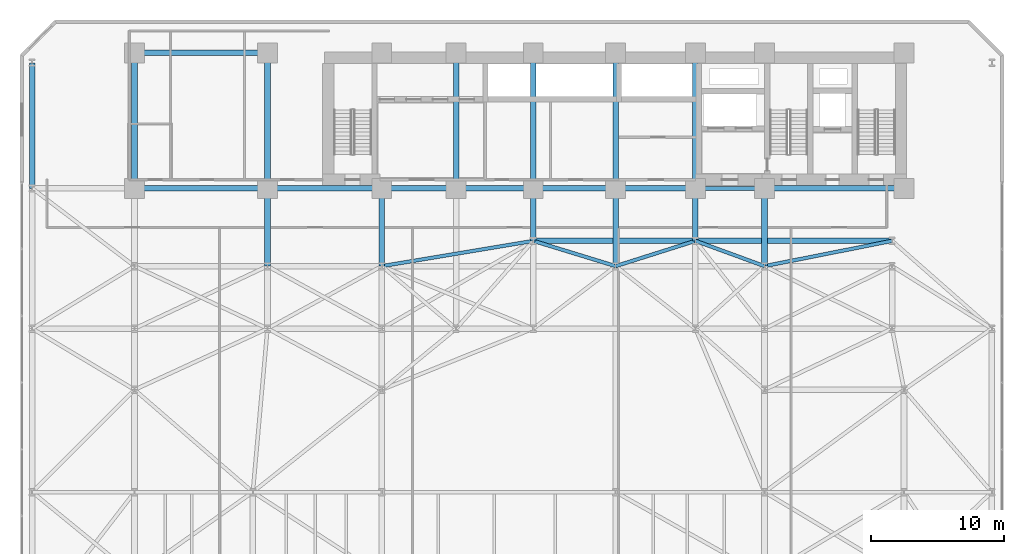
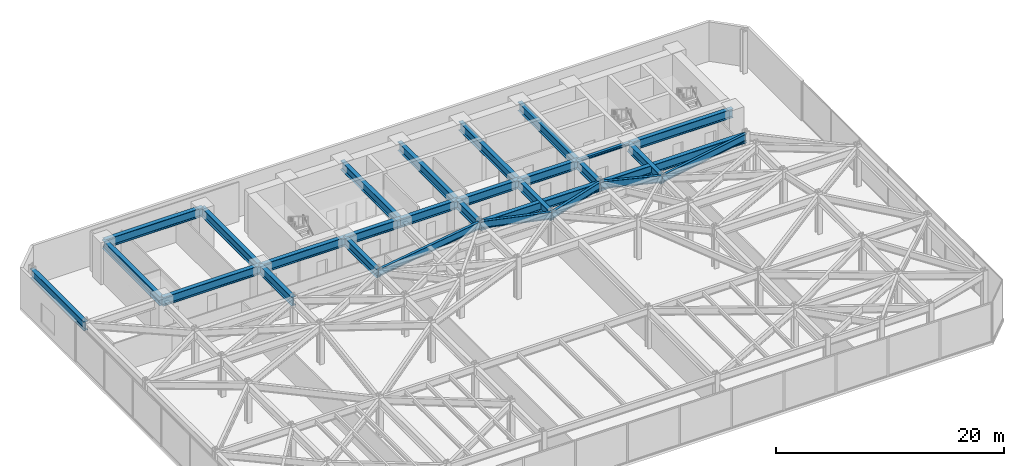
# One storey, part 20 of 28: 29 beams.
"""IFC4 building model written with IfcOpenShell, lengths in metres."""

from ifc_helpers import new_model, si_unit, direction, frame, origin, origin_2d, place, context, subcontext, project, spatial, i_section, extrude, material, material_profile, profile_set, type_object, element, save


model = new_model("IFC4")

# Units and contexts
model_context = context("Model", 3, precision=1e-05, world=origin(), true_north=direction((0.0, 1.0)))
body_context = subcontext(model_context, "Body", "Model", "MODEL_VIEW")
ifc_project = project(units=[si_unit("LENGTHUNIT", "METRE"), si_unit("AREAUNIT", "SQUARE_METRE"), si_unit("VOLUMEUNIT", "CUBIC_METRE"), si_unit("PLANEANGLEUNIT", "RADIAN"), si_unit("MASSUNIT", "GRAM", prefix="KILO")], contexts=[model_context])

# Site, building, storey
site_placement = place(None, origin())
site = spatial("IfcSite", under=ifc_project, at=site_placement, CompositionType="ELEMENT")
building_placement = place(site_placement, origin())
building = spatial("IfcBuilding", under=site, at=building_placement, Name="Kravanh Interchange Tower", CompositionType="ELEMENT")
storey_placement = place(building_placement, frame((0.0, 0.0, 10.800048828125)))
storey = spatial("IfcBuildingStorey", under=building, at=storey_placement, Name="L02", CompositionType="ELEMENT", Elevation=10.800048828125)

# Beams
ifc_material_1 = material(Name="Structural Steel S450", Category="steel")
ifc_material_profile_1 = material_profile(ifc_material_1, i_section(OverallWidth=0.423095703125, OverallDepth=0.947998046875, WebThickness=0.02392578125, FlangeThickness=0.042724609375, FilletRadius=0.028076171875, at=origin_2d()), Name="W36X302")
ifc_profile_set_1 = profile_set([ifc_material_profile_1], Name="Structural Steel S450")
beam_type_1 = type_object("IfcBeamType", Name="Floor Beam W36X302 Structural Steel S450", PredefinedType="BEAM", material=ifc_profile_set_1)
for number, where, z_axis, x_axis, name in (
    (1, (18.60009765625, 31.5, 3.755859375), (0.0, 1.0, 0.0), (-1.0, 0.0, 0.0), "L02 Primary Floor Girder 108"),
    (2, (27.199951171875, 31.5, 3.755859375), (0.0, 1.0, 0.0), (-1.0, 0.0, 0.0), "L02 Primary Floor Girder 110"),
    (3, (44.800048828125, 31.5, 3.755859375), (0.0, 1.0, 0.0), (-1.0, 0.0, 0.0), "L02 Primary Floor Girder 113"),
    (4, (56.0, 31.5, 3.755859375), (0.0, 1.0, 0.0), (-1.0, 0.0, 0.0), "L02 Primary Floor Girder 118"),
):
    element("IfcBeam", number, at=place(storey_placement, frame(where, z_axis=z_axis, x_axis=x_axis)), inside=storey, type_object=beam_type_1, Name=name, PredefinedType="BEAM", context=body_context, shape_type="SweptSolid", body=[
        extrude(i_section(OverallWidth=0.423095703125, OverallDepth=0.947998046875, WebThickness=0.02392578125, FlangeThickness=0.042724609375, FilletRadius=0.028076171875, at=origin_2d()), origin(), (0.0, 0.0, 1.0), 5.85009765625),
    ])
beam_1_placement = place(storey_placement, frame((0.89990234375, 37.35009765625, 3.755859375), z_axis=(0.0, 1.0, 0.0), x_axis=(-1.0, 0.0, 0.0)))
element("IfcBeam", 5, at=beam_1_placement, inside=storey, type_object=beam_type_1, Name="L02 Primary Floor Girder 126", PredefinedType="BEAM", context=body_context, shape_type="SweptSolid", body=[
    extrude(i_section(OverallWidth=0.423095703125, OverallDepth=0.947998046875, WebThickness=0.02392578125, FlangeThickness=0.042724609375, FilletRadius=0.028076171875, at=origin_2d()), origin(), (0.0, 0.0, 1.0), 9.449951171875),
])
beam_2_placement = place(storey_placement, frame((38.60009765625, 33.39990234375, 3.755859375), z_axis=(0.0, 1.0, 0.0), x_axis=(-1.0, 0.0, 0.0)))
element("IfcBeam", 6, at=beam_2_placement, inside=storey, type_object=beam_type_1, Name="L02 Primary Floor Girder 130", PredefinedType="BEAM", context=body_context, shape_type="SweptSolid", body=[
    extrude(i_section(OverallWidth=0.423095703125, OverallDepth=0.947998046875, WebThickness=0.02392578125, FlangeThickness=0.042724609375, FilletRadius=0.028076171875, at=origin_2d()), origin(), (0.0, 0.0, 1.0), 3.9501953125),
])
beam_3_placement = place(storey_placement, frame((38.60009765625, 33.39990234375, 3.755859375), z_axis=(1.0, 0.0, 0.0), x_axis=(0.0, 1.0, 0.0)))
element("IfcBeam", 7, at=beam_3_placement, inside=storey, type_object=beam_type_1, Name="L02 Primary Floor Girder 131", PredefinedType="BEAM", context=body_context, shape_type="SweptSolid", body=[
    extrude(i_section(OverallWidth=0.423095703125, OverallDepth=0.947998046875, WebThickness=0.02392578125, FlangeThickness=0.042724609375, FilletRadius=0.028076171875, at=origin_2d()), origin(), (0.0, 0.0, 1.0), 12.199951171875),
])
beam_4_placement = place(storey_placement, frame((50.800048828125, 33.39990234375, 3.755859375), z_axis=(0.0, 1.0, 0.0), x_axis=(-1.0, 0.0, 0.0)))
element("IfcBeam", 8, at=beam_4_placement, inside=storey, type_object=beam_type_1, Name="L02 Primary Floor Girder 132", PredefinedType="BEAM", context=body_context, shape_type="SweptSolid", body=[
    extrude(i_section(OverallWidth=0.423095703125, OverallDepth=0.947998046875, WebThickness=0.02392578125, FlangeThickness=0.042724609375, FilletRadius=0.028076171875, at=origin_2d()), origin(), (0.0, 0.0, 1.0), 3.9501953125),
])
beam_5_placement = place(storey_placement, frame((50.800048828125, 33.39990234375, 3.755859375), z_axis=(1.0, 0.0, 0.0), x_axis=(0.0, 1.0, 0.0)))
element("IfcBeam", 9, at=beam_5_placement, inside=storey, type_object=beam_type_1, Name="L02 Primary Floor Girder 133", PredefinedType="BEAM", context=body_context, shape_type="SweptSolid", body=[
    extrude(i_section(OverallWidth=0.423095703125, OverallDepth=0.947998046875, WebThickness=0.02392578125, FlangeThickness=0.042724609375, FilletRadius=0.028076171875, at=origin_2d()), origin(), (0.0, 0.0, 1.0), 14.800048828125),
])
beam_6_placement = place(storey_placement, frame((66.5, 37.35009765625, 3.755859375), z_axis=(-1.0, 0.0, 0.0), x_axis=(0.0, -1.0, 0.0)))
element("IfcBeam", 10, at=beam_6_placement, inside=storey, type_object=beam_type_1, Name="L02 Primary Floor Girder 138", PredefinedType="BEAM", context=body_context, shape_type="SweptSolid", body=[
    extrude(i_section(OverallWidth=0.423095703125, OverallDepth=0.947998046875, WebThickness=0.02392578125, FlangeThickness=0.042724609375, FilletRadius=0.028076171875, at=origin_2d()), origin(), (0.0, 0.0, 1.0), 10.5),
])
beam_7_placement = place(storey_placement, frame((50.800048828125, 47.550048828125, 3.755859375), z_axis=(0.0, -1.0, 0.0), x_axis=(1.0, 0.0, 0.0)))
element("IfcBeam", 11, at=beam_7_placement, inside=storey, type_object=beam_type_1, Name="L02 Primary Floor Girder 141", PredefinedType="BEAM", context=body_context, shape_type="SweptSolid", body=[
    extrude(i_section(OverallWidth=0.423095703125, OverallDepth=0.947998046875, WebThickness=0.02392578125, FlangeThickness=0.042724609375, FilletRadius=0.028076171875, at=origin_2d()), origin(), (0.0, 0.0, 1.0), 10.199951171875),
])
beam_8_placement = place(storey_placement, frame((50.800048828125, 37.35009765625, 3.755859375), z_axis=(-1.0, 0.0, 0.0), x_axis=(0.0, -1.0, 0.0)))
element("IfcBeam", 12, at=beam_8_placement, inside=storey, type_object=beam_type_1, Name="L02 Primary Floor Girder 142", PredefinedType="BEAM", context=body_context, shape_type="SweptSolid", body=[
    extrude(i_section(OverallWidth=0.423095703125, OverallDepth=0.947998046875, WebThickness=0.02392578125, FlangeThickness=0.042724609375, FilletRadius=0.028076171875, at=origin_2d()), origin(), (0.0, 0.0, 1.0), 6.0),
])
beam_9_placement = place(storey_placement, frame((44.800048828125, 37.35009765625, 3.755859375), z_axis=(-1.0, 0.0, 0.0), x_axis=(0.0, -1.0, 0.0)))
element("IfcBeam", 13, at=beam_9_placement, inside=storey, type_object=beam_type_1, Name="L02 Primary Floor Girder 143", PredefinedType="BEAM", context=body_context, shape_type="SweptSolid", body=[
    extrude(i_section(OverallWidth=0.423095703125, OverallDepth=0.947998046875, WebThickness=0.02392578125, FlangeThickness=0.042724609375, FilletRadius=0.028076171875, at=origin_2d()), origin(), (0.0, 0.0, 1.0), 6.199951171875),
])
beam_10_placement = place(storey_placement, frame((44.800048828125, 37.35009765625, 3.755859375), z_axis=(0.0, 1.0, 0.0), x_axis=(-1.0, 0.0, 0.0)))
element("IfcBeam", 14, at=beam_10_placement, inside=storey, type_object=beam_type_1, Name="L02 Primary Floor Girder 144", PredefinedType="BEAM", context=body_context, shape_type="SweptSolid", body=[
    extrude(i_section(OverallWidth=0.423095703125, OverallDepth=0.947998046875, WebThickness=0.02392578125, FlangeThickness=0.042724609375, FilletRadius=0.028076171875, at=origin_2d()), origin(), (0.0, 0.0, 1.0), 10.199951171875),
])
beam_11_placement = place(storey_placement, frame((38.60009765625, 37.35009765625, 3.755859375), z_axis=(-1.0, 0.0, 0.0), x_axis=(0.0, -1.0, 0.0)))
element("IfcBeam", 15, at=beam_11_placement, inside=storey, type_object=beam_type_1, Name="L02 Primary Floor Girder 146", PredefinedType="BEAM", context=body_context, shape_type="SweptSolid", body=[
    extrude(i_section(OverallWidth=0.423095703125, OverallDepth=0.947998046875, WebThickness=0.02392578125, FlangeThickness=0.042724609375, FilletRadius=0.028076171875, at=origin_2d()), origin(), (0.0, 0.0, 1.0), 5.800048828125),
])
beam_12_placement = place(storey_placement, frame((38.60009765625, 37.35009765625, 3.755859375), z_axis=(0.0, 1.0, 0.0), x_axis=(-1.0, 0.0, 0.0)))
element("IfcBeam", 16, at=beam_12_placement, inside=storey, type_object=beam_type_1, Name="L02 Primary Floor Girder 147", PredefinedType="BEAM", context=body_context, shape_type="SweptSolid", body=[
    extrude(i_section(OverallWidth=0.423095703125, OverallDepth=0.947998046875, WebThickness=0.02392578125, FlangeThickness=0.042724609375, FilletRadius=0.028076171875, at=origin_2d()), origin(), (0.0, 0.0, 1.0), 10.199951171875),
])
beam_13_placement = place(storey_placement, frame((32.800048828125, 37.35009765625, 3.755859375), z_axis=(-1.0, 0.0, 0.0), x_axis=(0.0, -1.0, 0.0)))
element("IfcBeam", 17, at=beam_13_placement, inside=storey, type_object=beam_type_1, Name="L02 Primary Floor Girder 149", PredefinedType="BEAM", context=body_context, shape_type="SweptSolid", body=[
    extrude(i_section(OverallWidth=0.423095703125, OverallDepth=0.947998046875, WebThickness=0.02392578125, FlangeThickness=0.042724609375, FilletRadius=0.028076171875, at=origin_2d()), origin(), (0.0, 0.0, 1.0), 5.60009765625),
])
beam_14_placement = place(storey_placement, frame((32.800048828125, 37.35009765625, 3.755859375), z_axis=(0.0, 1.0, 0.0), x_axis=(-1.0, 0.0, 0.0)))
element("IfcBeam", 18, at=beam_14_placement, inside=storey, type_object=beam_type_1, Name="L02 Primary Floor Girder 150", PredefinedType="BEAM", context=body_context, shape_type="SweptSolid", body=[
    extrude(i_section(OverallWidth=0.423095703125, OverallDepth=0.947998046875, WebThickness=0.02392578125, FlangeThickness=0.042724609375, FilletRadius=0.028076171875, at=origin_2d()), origin(), (0.0, 0.0, 1.0), 10.199951171875),
])
beam_15_placement = place(storey_placement, frame((27.199951171875, 37.35009765625, 3.755859375), z_axis=(-1.0, 0.0, 0.0), x_axis=(0.0, -1.0, 0.0)))
element("IfcBeam", 19, at=beam_15_placement, inside=storey, type_object=beam_type_1, Name="L02 Primary Floor Girder 152", PredefinedType="BEAM", context=body_context, shape_type="SweptSolid", body=[
    extrude(i_section(OverallWidth=0.423095703125, OverallDepth=0.947998046875, WebThickness=0.02392578125, FlangeThickness=0.042724609375, FilletRadius=0.028076171875, at=origin_2d()), origin(), (0.0, 0.0, 1.0), 8.599853515625),
])
beam_16_placement = place(storey_placement, frame((18.60009765625, 37.35009765625, 3.755859375), z_axis=(-1.0, 0.0, 0.0), x_axis=(0.0, -1.0, 0.0)))
element("IfcBeam", 20, at=beam_16_placement, inside=storey, type_object=beam_type_1, Name="L02 Primary Floor Girder 155", PredefinedType="BEAM", context=body_context, shape_type="SweptSolid", body=[
    extrude(i_section(OverallWidth=0.423095703125, OverallDepth=0.947998046875, WebThickness=0.02392578125, FlangeThickness=0.042724609375, FilletRadius=0.028076171875, at=origin_2d()), origin(), (0.0, 0.0, 1.0), 10.0),
])
beam_17_placement = place(storey_placement, frame((18.60009765625, 37.35009765625, 3.755859375), z_axis=(0.0, 1.0, 0.0), x_axis=(-1.0, 0.0, 0.0)))
element("IfcBeam", 21, at=beam_17_placement, inside=storey, type_object=beam_type_1, Name="L02 Primary Floor Girder 156", PredefinedType="BEAM", context=body_context, shape_type="SweptSolid", body=[
    extrude(i_section(OverallWidth=0.423095703125, OverallDepth=0.947998046875, WebThickness=0.02392578125, FlangeThickness=0.042724609375, FilletRadius=0.028076171875, at=origin_2d()), origin(), (0.0, 0.0, 1.0), 10.199951171875),
])
beam_18_placement = place(storey_placement, frame((18.60009765625, 47.550048828125, 3.755859375), z_axis=(-1.0, 0.0, 0.0), x_axis=(0.0, -1.0, 0.0)))
element("IfcBeam", 22, at=beam_18_placement, inside=storey, type_object=beam_type_1, Name="L02 Primary Floor Girder 157", PredefinedType="BEAM", context=body_context, shape_type="SweptSolid", body=[
    extrude(i_section(OverallWidth=0.423095703125, OverallDepth=0.947998046875, WebThickness=0.02392578125, FlangeThickness=0.042724609375, FilletRadius=0.028076171875, at=origin_2d()), origin(), (0.0, 0.0, 1.0), 10.0),
])
beam_19_placement = place(storey_placement, frame((8.60009765625, 37.35009765625, 3.755859375), z_axis=(0.0, 1.0, 0.0), x_axis=(-1.0, 0.0, 0.0)))
element("IfcBeam", 23, at=beam_19_placement, inside=storey, type_object=beam_type_1, Name="L02 Primary Floor Girder 158", PredefinedType="BEAM", context=body_context, shape_type="SweptSolid", body=[
    extrude(i_section(OverallWidth=0.423095703125, OverallDepth=0.947998046875, WebThickness=0.02392578125, FlangeThickness=0.042724609375, FilletRadius=0.028076171875, at=origin_2d()), origin(), (0.0, 0.0, 1.0), 10.199951171875),
])
ifc_material_2 = material(Name="Structural Steel S355", Category="steel")
ifc_material_profile_2 = material_profile(ifc_material_2, i_section(OverallWidth=0.304931640625, OverallDepth=0.306884765625, WebThickness=0.010009765625, FlangeThickness=0.015380859375, FilletRadius=0.014892578125, at=origin_2d()), Name="W12X65")
ifc_profile_set_2 = profile_set([ifc_material_profile_2], Name="Structural Steel S355")
beam_type_2 = type_object("IfcBeamType", Name="Floor Lintel W12X65 Structural Steel S355", PredefinedType="LINTEL", material=ifc_profile_set_2)
beam_20_placement = place(storey_placement, frame((50.800048828125, 37.35009765625, 4.076416015625), z_axis=(1.0, 0.0, 0.0), x_axis=(0.0, 1.0, 0.0)))
element("IfcBeam", 24, at=beam_20_placement, inside=storey, type_object=beam_type_2, Name="L02 Core Coupling Lintel 1", PredefinedType="LINTEL", context=body_context, shape_type="SweptSolid", body=[
    extrude(i_section(OverallWidth=0.304931640625, OverallDepth=0.306884765625, WebThickness=0.010009765625, FlangeThickness=0.015380859375, FilletRadius=0.014892578125, at=origin_2d()), origin(), (0.0, 0.0, 1.0), 5.199951171875),
])
ifc_material_3 = material(Name="Structural Steel S355", Category="steel")
ifc_material_profile_3 = material_profile(ifc_material_3, i_section(OverallWidth=0.26708984375, OverallDepth=0.761962890625, WebThickness=0.014404296875, FlangeThickness=0.021484375, FilletRadius=0.02490234375, at=origin_2d()), Name="W30X116")
ifc_profile_set_3 = profile_set([ifc_material_profile_3], Name="Structural Steel S355")
beam_type_3 = type_object("IfcBeamType", Name="Floor Spandrel W30X116 Structural Steel S355", PredefinedType="SPANDREL", material=ifc_profile_set_3)
beam_21_placement = place(storey_placement, frame((27.199951171875, 31.5, 3.848876953125), z_axis=(0.986395636554, 0.164388710647, 0.0), x_axis=(-0.164388710647, 0.986395636554, 0.0)))
element("IfcBeam", 25, at=beam_21_placement, inside=storey, type_object=beam_type_3, Name="L02 Perimeter Spandrel 111", PredefinedType="SPANDREL", context=body_context, shape_type="SweptSolid", body=[
    extrude(i_section(OverallWidth=0.26708984375, OverallDepth=0.761962890625, WebThickness=0.014404296875, FlangeThickness=0.021484375, FilletRadius=0.02490234375, at=origin_2d()), origin(), (0.0, 0.0, 1.0), 11.557373046875),
])
beam_22_placement = place(storey_placement, frame((44.800048828125, 31.5, 3.848876953125), z_axis=(0.953346691051, 0.301877602122, 0.0), x_axis=(-0.301877602122, 0.953346691051, 0.0)))
element("IfcBeam", 26, at=beam_22_placement, inside=storey, type_object=beam_type_3, Name="L02 Perimeter Spandrel 114", PredefinedType="SPANDREL", context=body_context, shape_type="SweptSolid", body=[
    extrude(i_section(OverallWidth=0.26708984375, OverallDepth=0.761962890625, WebThickness=0.014404296875, FlangeThickness=0.021484375, FilletRadius=0.02490234375, at=origin_2d()), origin(), (0.0, 0.0, 1.0), 6.293701171875),
])
beam_23_placement = place(storey_placement, frame((44.800048828125, 31.5, 3.848876953125), z_axis=(-0.956115397264, 0.292990353279, 0.0), x_axis=(-0.292990353279, -0.956115397264, 0.0)))
element("IfcBeam", 27, at=beam_23_placement, inside=storey, type_object=beam_type_3, Name="L02 Perimeter Spandrel 115", PredefinedType="SPANDREL", context=body_context, shape_type="SweptSolid", body=[
    extrude(i_section(OverallWidth=0.26708984375, OverallDepth=0.761962890625, WebThickness=0.014404296875, FlangeThickness=0.021484375, FilletRadius=0.02490234375, at=origin_2d()), origin(), (0.0, 0.0, 1.0), 6.484619140625),
])
beam_24_placement = place(storey_placement, frame((56.0, 31.5, 3.848876953125), z_axis=(-0.93926957103, 0.343180233896, 0.0), x_axis=(-0.343180233896, -0.93926957103, 0.0)))
element("IfcBeam", 28, at=beam_24_placement, inside=storey, type_object=beam_type_3, Name="L02 Perimeter Spandrel 117", PredefinedType="SPANDREL", context=body_context, shape_type="SweptSolid", body=[
    extrude(i_section(OverallWidth=0.26708984375, OverallDepth=0.761962890625, WebThickness=0.014404296875, FlangeThickness=0.021484375, FilletRadius=0.02490234375, at=origin_2d()), origin(), (0.0, 0.0, 1.0), 5.5361328125),
])
beam_25_placement = place(storey_placement, frame((56.0, 31.5, 3.848876953125), z_axis=(0.980974000807, 0.194139150457, 0.0), x_axis=(-0.194139150457, 0.980974000807, 0.0)))
element("IfcBeam", 29, at=beam_25_placement, inside=storey, type_object=beam_type_3, Name="L02 Perimeter Spandrel 120", PredefinedType="SPANDREL", context=body_context, shape_type="SweptSolid", body=[
    extrude(i_section(OverallWidth=0.26708984375, OverallDepth=0.761962890625, WebThickness=0.014404296875, FlangeThickness=0.021484375, FilletRadius=0.02490234375, at=origin_2d()), origin(), (0.0, 0.0, 1.0), 9.786376953125),
])

save(model, "model.ifc")
